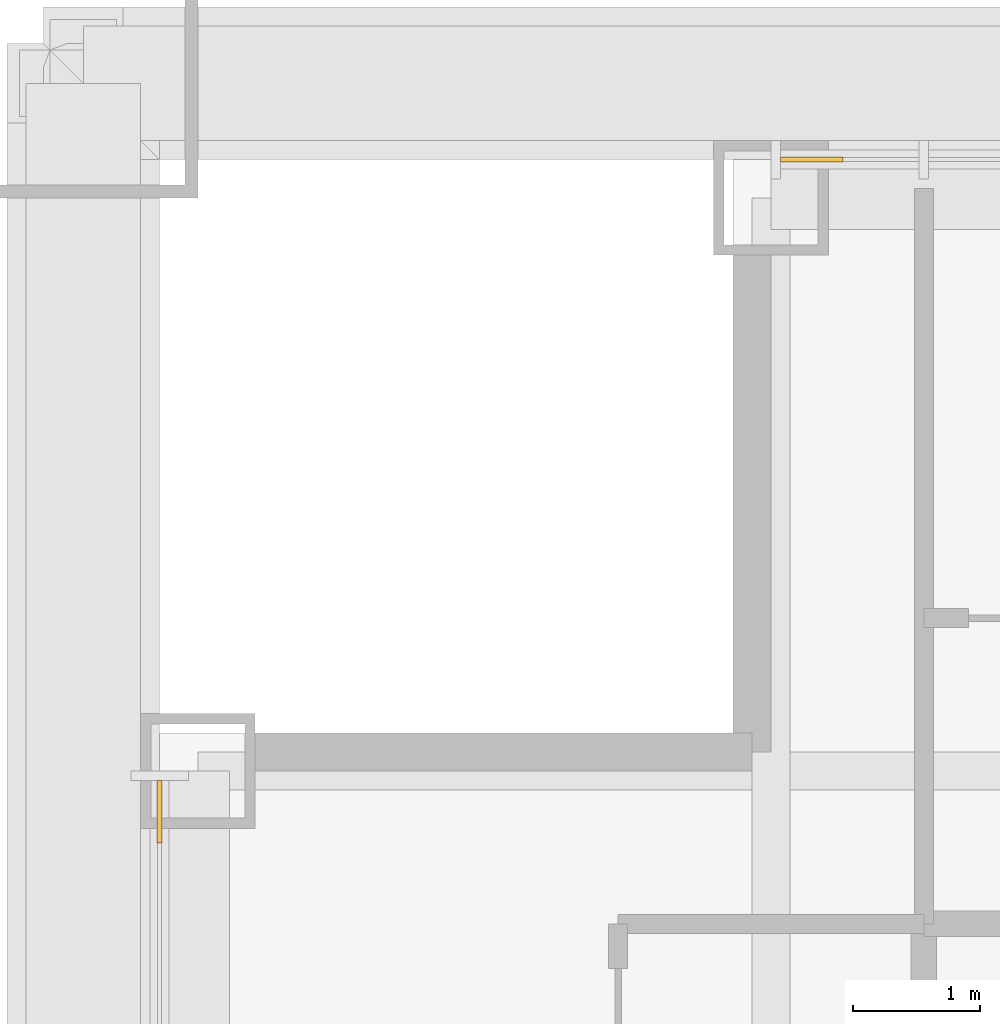
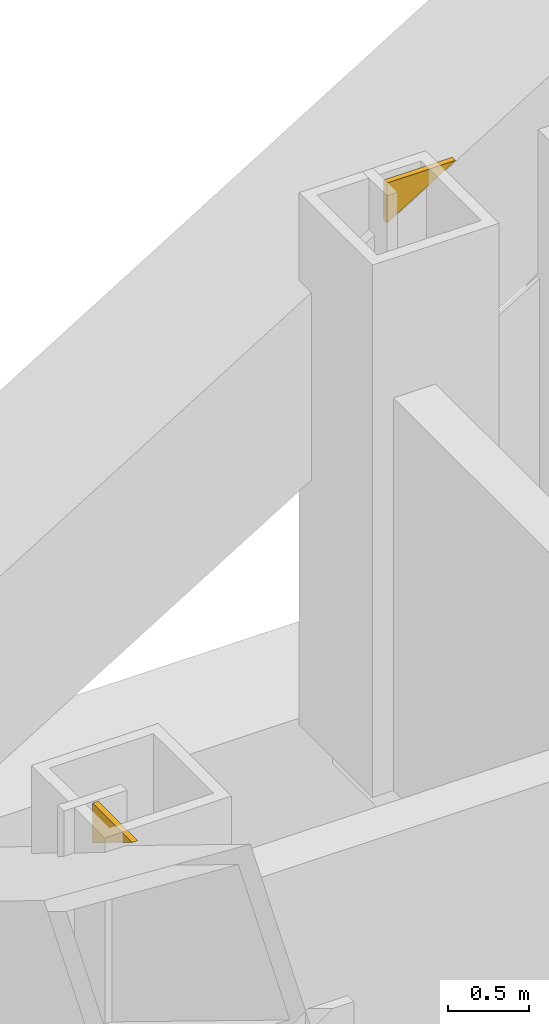
# One storey, part 20 of 21: 2 coverings.
"""IFC4 building model written with IfcOpenShell, lengths in metres."""

from ifc_helpers import new_model, si_unit, direction, frame, origin, place, context, subcontext, project, spatial, polyline, outline, extrude, material, layer, layer_set, type_object, element, save


model = new_model("IFC4")

# Units and contexts
model_context = context("Model", 3, precision=1e-05, world=origin(), true_north=direction((0.0, 1.0)))
body_context = subcontext(model_context, "Body", "Model", "MODEL_VIEW")
ifc_project = project(units=[si_unit("LENGTHUNIT", "METRE"), si_unit("AREAUNIT", "SQUARE_METRE"), si_unit("VOLUMEUNIT", "CUBIC_METRE"), si_unit("PLANEANGLEUNIT", "RADIAN"), si_unit("MASSUNIT", "GRAM", prefix="KILO")], contexts=[model_context])

# Site, building, storey
site_placement = place(None, origin())
site = spatial("IfcSite", under=ifc_project, at=site_placement, CompositionType="ELEMENT")
building_placement = place(site_placement, origin())
building = spatial("IfcBuilding", under=site, at=building_placement, Name="Malebo Sky Hospital", CompositionType="ELEMENT")
storey_placement = place(building_placement, frame((0.0, 0.0, 31.0)))
storey = spatial("IfcBuildingStorey", under=building, at=storey_placement, Name="L06", CompositionType="ELEMENT", Elevation=31.0)

# Coverings
ifc_material = material(Name="Anodised aluminium, natural silver insulated infill panel", Category="aluminium")
ifc_layer = layer(ifc_material, 0.0400390625)
ifc_layer_set = layer_set([ifc_layer], Name="BRACE INFILL PANEL 40")
covering_type = type_object("IfcCoveringType", Name="BRACE INFILL PANEL 40", PredefinedType="CLADDING", material=ifc_layer_set)
covering_1_placement = place(storey_placement, frame((39.61962890625, 87.5, 3.690185546875), z_axis=(0.0, 0.0, 1.0), x_axis=(1.0, 0.0, 0.0)))
element("IfcCovering", 1, at=covering_1_placement, inside=storey, type_object=covering_type, Name="Brace infill panel 1.1", PredefinedType="CLADDING", context=body_context, shape_type="SweptSolid", body=[
    extrude(outline(polyline([(-0.24462890625, 0.0), (0.244384765625, 0.2998046875), (-0.24462890625, 0.2998046875), (-0.24462890625, 0.0)])), frame((0.0, 0.02001953125, 0.0), z_axis=(0.0, -1.0, 0.0), x_axis=(1.0, 0.0, 0.0)), (0.0, 0.0, 1.0), 0.0400390625),
])
covering_2_placement = place(storey_placement, frame((34.5, 82.38037109375, 3.690185546875), z_axis=(0.0, 0.0, 1.0), x_axis=(0.0, 1.0, 0.0)))
element("IfcCovering", 2, at=covering_2_placement, inside=storey, type_object=covering_type, Name="Brace infill panel 15.1", PredefinedType="CLADDING", context=body_context, shape_type="SweptSolid", body=[
    extrude(outline(polyline([(0.244384765625, 0.0), (0.244384765625, 0.2998046875), (-0.24462890625, 0.2998046875), (0.244384765625, 0.0)])), frame((0.0, 0.02001953125, 0.0), z_axis=(0.0, -1.0, 0.0), x_axis=(1.0, 0.0, 0.0)), (0.0, 0.0, 1.0), 0.0400390625),
])

save(model, "model.ifc")
